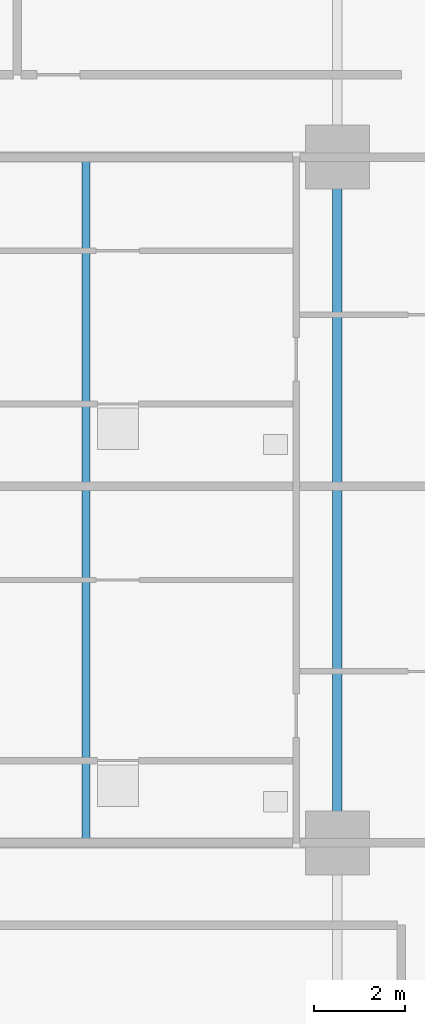
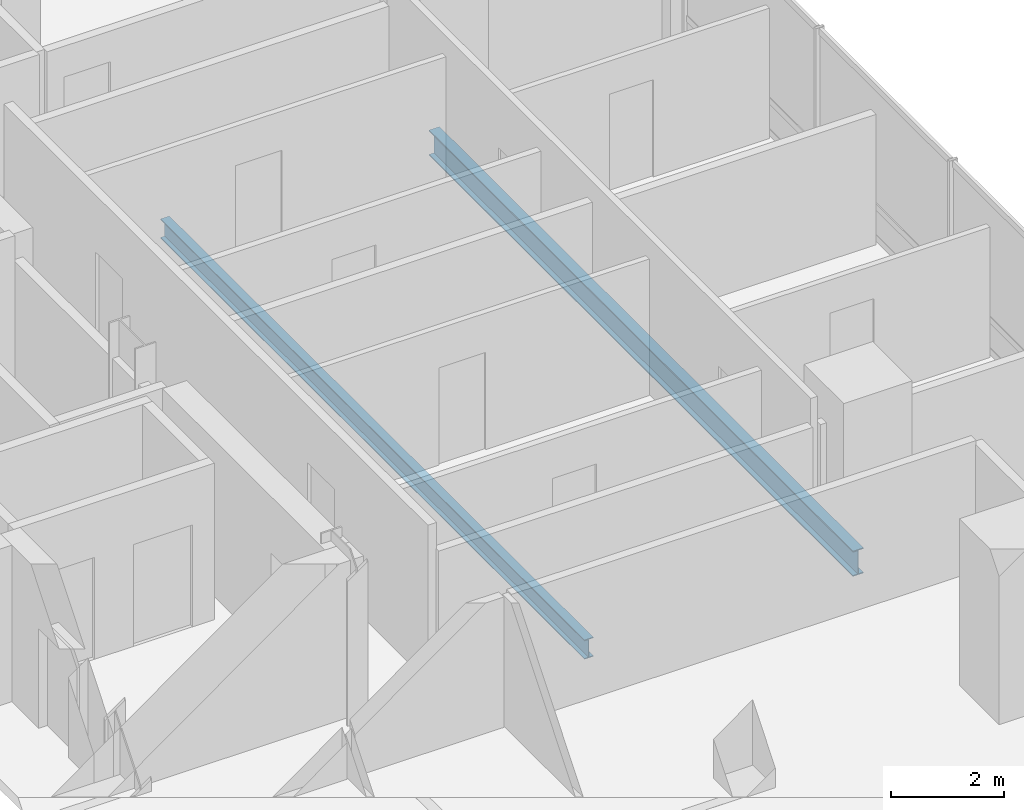
# One storey, part 9 of 23: 2 beams.
"""IFC4 building model written with IfcOpenShell, lengths in metres."""

from ifc_helpers import new_model, si_unit, direction, frame, origin, origin_2d, place, context, subcontext, project, spatial, i_section, extrude, material, material_profile, profile_set, type_object, element, save


model = new_model("IFC4")

# Units and contexts
model_context = context("Model", 3, precision=1e-05, world=origin(), true_north=direction((0.0, 1.0)))
body_context = subcontext(model_context, "Body", "Model", "MODEL_VIEW")
ifc_project = project(units=[si_unit("LENGTHUNIT", "METRE"), si_unit("AREAUNIT", "SQUARE_METRE"), si_unit("VOLUMEUNIT", "CUBIC_METRE"), si_unit("PLANEANGLEUNIT", "RADIAN"), si_unit("MASSUNIT", "GRAM", prefix="KILO")], contexts=[model_context])

# Site, building, storey
site_placement = place(None, origin())
site = spatial("IfcSite", under=ifc_project, at=site_placement, CompositionType="ELEMENT")
building_placement = place(site_placement, origin())
building = spatial("IfcBuilding", under=site, at=building_placement, Name="Barlavira Tower and Art Museum", CompositionType="ELEMENT")
storey_placement = place(building_placement, frame((0.0, 0.0, 75.60009765625)))
storey = spatial("IfcBuildingStorey", under=building, at=storey_placement, Name="L18", CompositionType="ELEMENT", Elevation=75.60009765625)

# Beams
ifc_material = material(Name="Steel S355", Category="steel")
ifc_material_profile_1 = material_profile(ifc_material, i_section(OverallWidth=0.180908203125, OverallDepth=0.4169921875, WebThickness=0.010986328125, FlangeThickness=0.018310546875, at=origin_2d()), Name="W410x85.0")
ifc_profile_set_1 = profile_set([ifc_material_profile_1], Name="Steel S355")
beam_type_1 = type_object("IfcBeamType", Name="Zone 1 Composite Floor Joist W410x85 Steel S355", PredefinedType="JOIST", material=ifc_profile_set_1)
beam_1_placement = place(storey_placement, frame((11.5, -7.5, -0.4287109375), z_axis=(0.0, 1.0, 0.0), x_axis=(-1.0, 0.0, 0.0)))
element("IfcBeam", 1, at=beam_1_placement, inside=storey, type_object=beam_type_1, Name="L18 Joist W2", PredefinedType="JOIST", context=body_context, shape_type="SweptSolid", body=[
    extrude(i_section(OverallWidth=0.180908203125, OverallDepth=0.4169921875, WebThickness=0.010986328125, FlangeThickness=0.018310546875, at=origin_2d()), origin(), (0.0, 0.0, 1.0), 15.0),
])
ifc_material_profile_2 = material_profile(ifc_material, i_section(OverallWidth=0.214111328125, OverallDepth=0.549072265625, WebThickness=0.0146484375, FlangeThickness=0.023681640625, at=origin_2d()), Name="W530x138.0")
ifc_profile_set_2 = profile_set([ifc_material_profile_2], Name="Steel S355")
beam_type_2 = type_object("IfcBeamType", Name="Zone 1 Primary Floor Girder W530x138 Steel S355", PredefinedType="BEAM", material=ifc_profile_set_2)
beam_2_placement = place(storey_placement, frame((17.0, -7.5, -0.49462890625), z_axis=(0.0, 1.0, 0.0), x_axis=(-1.0, 0.0, 0.0)))
element("IfcBeam", 2, at=beam_2_placement, inside=storey, type_object=beam_type_2, Name="L18 Girder M-E2", PredefinedType="BEAM", context=body_context, shape_type="SweptSolid", body=[
    extrude(i_section(OverallWidth=0.214111328125, OverallDepth=0.549072265625, WebThickness=0.0146484375, FlangeThickness=0.023681640625, at=origin_2d()), origin(), (0.0, 0.0, 1.0), 15.0),
])

save(model, "model.ifc")
